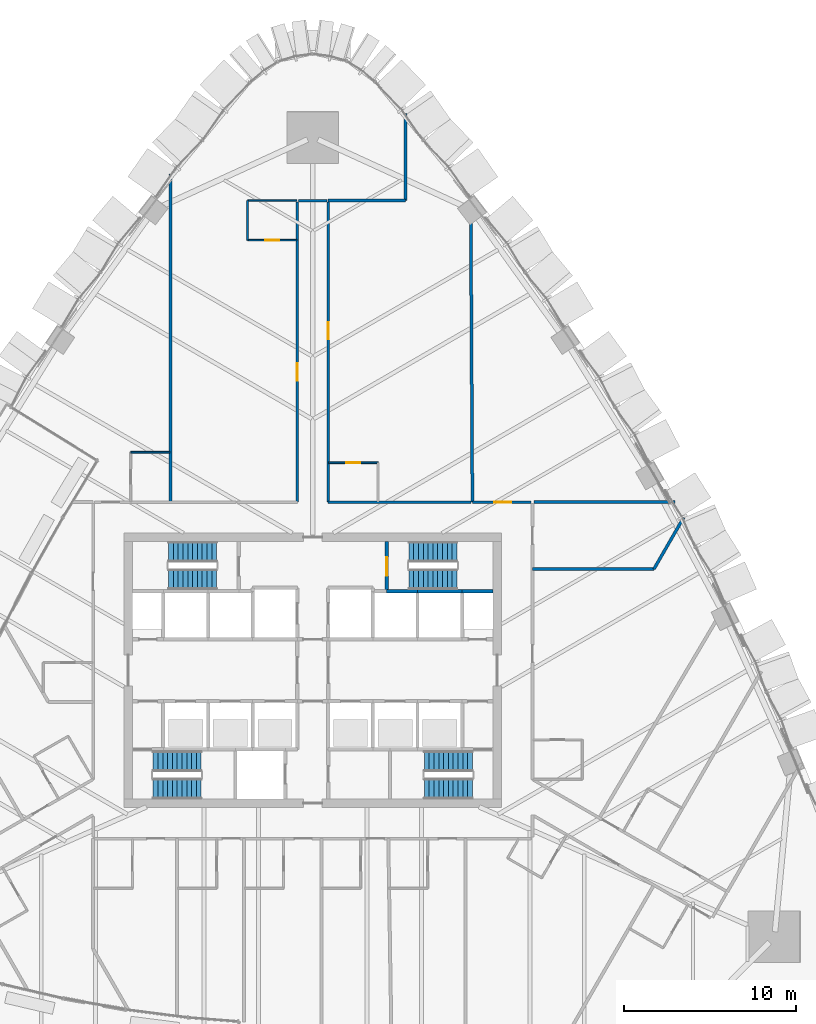
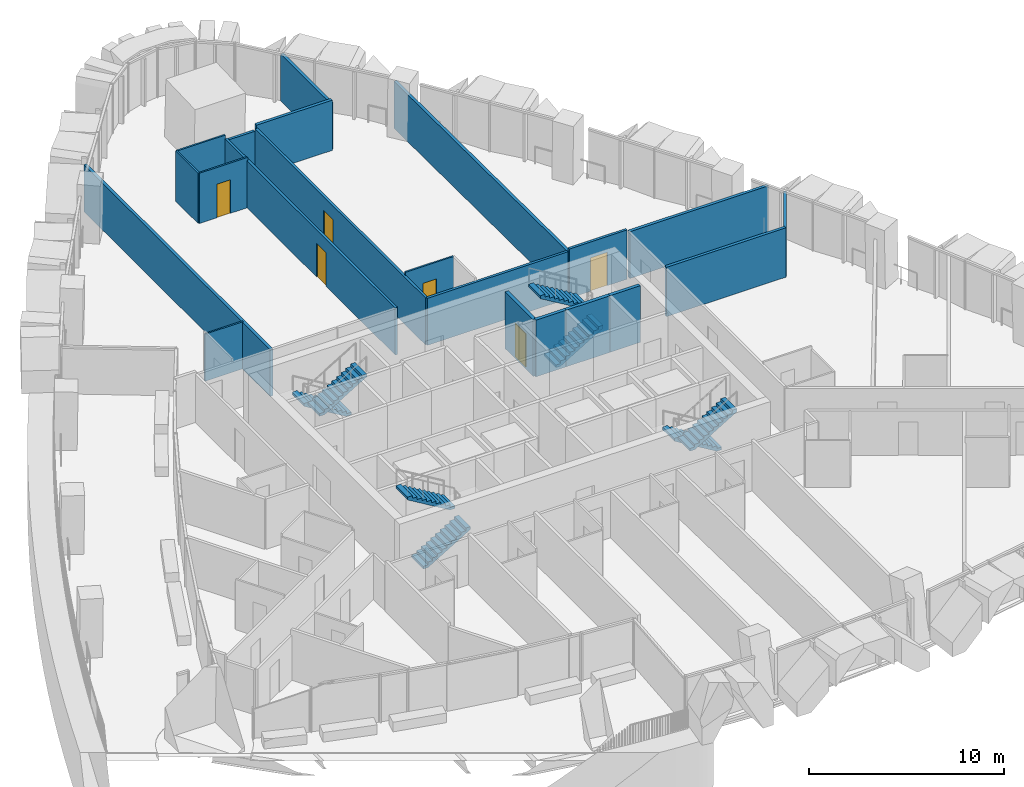
# One storey, part 18 of 24: 21 walls, 8 stair flights, 6 doors, 6 openings, 4 elements without a shape of their own.
"""IFC4 building model written with IfcOpenShell, lengths in metres."""

from ifc_helpers import new_model, si_unit, direction, frame, frame_2d, origin, place, context, subcontext, project, spatial, polyline, rectangle, outline, extrude, material, layer, layer_set, type_object, element, fill, aggregate, save


model = new_model("IFC4")

# Units and contexts
model_context = context("Model", 3, precision=1e-05, world=origin(), true_north=direction((0.0, 1.0)))
body_context = subcontext(model_context, "Body", "Model", "MODEL_VIEW")
ifc_project = project(units=[si_unit("LENGTHUNIT", "METRE"), si_unit("AREAUNIT", "SQUARE_METRE"), si_unit("VOLUMEUNIT", "CUBIC_METRE"), si_unit("PLANEANGLEUNIT", "RADIAN"), si_unit("MASSUNIT", "GRAM", prefix="KILO")], contexts=[model_context])

# Site, building, storey
site_placement = place(None, origin())
site = spatial("IfcSite", under=ifc_project, at=site_placement, CompositionType="ELEMENT")
building_placement = place(site_placement, origin())
building = spatial("IfcBuilding", under=site, at=building_placement, Name="Sierra Prisma Convention Tower", CompositionType="ELEMENT")
storey_placement = place(building_placement, frame((0.0, 0.0, 59.10009765625)))
storey = spatial("IfcBuildingStorey", under=building, at=storey_placement, Name="L10", CompositionType="ELEMENT", Elevation=59.10009765625)

# Wall
ifc_material_1 = material(Name="Gypsum board partition", Category="gypsum")
ifc_layer_1 = layer(ifc_material_1, 0.10009765625)
ifc_layer_set_1 = layer_set([ifc_layer_1], Name="Bathroom partition 100")
wall_type_1 = type_object("IfcWallType", Name="Bathroom partition 100", PredefinedType="PARTITIONING", material=ifc_layer_set_1)
wall_1_placement = place(storey_placement, frame((-10.60009765625, 12.699951171875, 0.0), z_axis=(0.0, 0.0, 1.0), x_axis=(1.0, 0.0, 0.0)))
element("IfcWall", 1, at=wall_1_placement, inside=storey, type_object=wall_type_1, Name="Partition L10 bath 13", PredefinedType="PARTITIONING", context=body_context, shape_type="SweptSolid", body=[
    extrude(rectangle(XDim=2.27001953125, YDim=0.10009765625, at=frame_2d((1.135009765625, 0.0))), origin(), (0.0, 0.0, 1.0), 2.947021484375),
])

# Wall, opening, door
wall_2_placement = place(storey_placement, frame((-0.929931640625, 25.06396484375, 0.0), z_axis=(0.0, 0.0, 1.0), x_axis=(-1.0, 0.0, 0.0)))
wall_2 = element("IfcWall", 2, at=wall_2_placement, inside=storey, type_object=wall_type_1, Name="Partition L10 bath 18", PredefinedType="PARTITIONING", context=body_context, shape_type="SweptSolid", body=[
    extrude(rectangle(XDim=2.8701171875, YDim=0.10009765625, at=frame_2d((1.43505859375, 0.0))), origin(), (0.0, 0.0, 1.0), 3.14990234375),
])
opening_1_placement = place(wall_2_placement, frame((1.034912109375, 0.0, 0.0)))
opening_1 = element("IfcOpeningElement", 3, at=opening_1_placement, cuts=wall_2, Name="Opening L10-D006", PredefinedType="OPENING", context=body_context, shape_type="SweptSolid", body=[
    extrude(rectangle(XDim=0.800048828125, YDim=2.10009765625, at=frame_2d((0.39990234375, 1.050048828125))), frame((0.0, 0.050048828125, 0.0), z_axis=(0.0, -1.0, 0.0), x_axis=(1.0, 0.0, 0.0)), (0.0, 0.0, 1.0), 0.10009765625),
])
ifc_material_2 = material(Name="Solid core timber door leaf", Category="wood")
door_type_1 = type_object("IfcDoorType", Name="Door 800x2100 plain", OperationType="SINGLE_SWING_LEFT", PredefinedType="DOOR", material=ifc_material_2)
door_1_placement = place(opening_1_placement, origin())
door_1 = element("IfcDoor", 4, at=door_1_placement, inside=storey, type_object=door_type_1, Name="Door L10 8", OperationType="SINGLE_SWING_LEFT", OverallHeight=2.10009765625, OverallWidth=0.800048828125, PredefinedType="DOOR", context=body_context, shape_type="SweptSolid", body=[
    extrude(rectangle(XDim=0.800048828125, YDim=2.10009765625, at=frame_2d((0.39990234375, 1.050048828125))), frame((0.0, 0.02490234375, 0.0), z_axis=(0.0, -1.0, 0.0), x_axis=(1.0, 0.0, 0.0)), (0.0, 0.0, 1.0), 0.050048828125),
])
fill(opening_1, door_1)

# Walls
wall_3_placement = place(storey_placement, frame((-3.800048828125, 25.06396484375, 0.0), z_axis=(0.0, 0.0, 1.0), x_axis=(0.0, 1.0, 0.0)))
element("IfcWall", 5, at=wall_3_placement, inside=storey, type_object=wall_type_1, Name="Partition L10 bath 19", PredefinedType="PARTITIONING", context=body_context, shape_type="SweptSolid", body=[
    extrude(rectangle(XDim=2.300048828125, YDim=0.10009765625, at=frame_2d((1.14990234375, 0.0))), origin(), (0.0, 0.0, 1.0), 3.14990234375),
])
wall_4_placement = place(storey_placement, frame((-3.800048828125, 27.364013671875, 0.0), z_axis=(0.0, 0.0, 1.0), x_axis=(1.0, 0.0, 0.0)))
element("IfcWall", 6, at=wall_4_placement, inside=storey, type_object=wall_type_1, Name="Partition L10 bath 20", PredefinedType="PARTITIONING", context=body_context, shape_type="SweptSolid", body=[
    extrude(rectangle(XDim=2.8701171875, YDim=0.10009765625, at=frame_2d((1.43505859375, 0.0))), origin(), (0.0, 0.0, 1.0), 3.14990234375),
])

# Wall, opening, door
wall_5_placement = place(storey_placement, frame((0.929931640625, 12.10009765625, 0.0), z_axis=(0.0, 0.0, 1.0), x_axis=(1.0, 0.0, 0.0)))
wall_5 = element("IfcWall", 7, at=wall_5_placement, inside=storey, type_object=wall_type_1, Name="Partition L10 bath 23", PredefinedType="PARTITIONING", context=body_context, shape_type="SweptSolid", body=[
    extrude(rectangle(XDim=2.8701171875, YDim=0.10009765625, at=frame_2d((1.43505859375, 0.0))), origin(), (0.0, 0.0, 1.0), 3.14990234375),
])
opening_2_placement = place(wall_5_placement, frame((1.034912109375, 0.0, 0.0)))
opening_2 = element("IfcOpeningElement", 8, at=opening_2_placement, cuts=wall_5, Name="Opening L10-D005", PredefinedType="OPENING", context=body_context, shape_type="SweptSolid", body=[
    extrude(rectangle(XDim=0.800048828125, YDim=2.10009765625, at=frame_2d((0.39990234375, 1.050048828125))), frame((0.0, 0.050048828125, 0.0), z_axis=(0.0, -1.0, 0.0), x_axis=(1.0, 0.0, 0.0)), (0.0, 0.0, 1.0), 0.10009765625),
])
door_2_placement = place(opening_2_placement, origin())
door_2 = element("IfcDoor", 9, at=door_2_placement, inside=storey, type_object=door_type_1, Name="Door L10 6", OperationType="SINGLE_SWING_LEFT", OverallHeight=2.10009765625, OverallWidth=0.800048828125, PredefinedType="DOOR", context=body_context, shape_type="SweptSolid", body=[
    extrude(rectangle(XDim=0.800048828125, YDim=2.10009765625, at=frame_2d((0.39990234375, 1.050048828125))), frame((0.0, 0.02490234375, 0.0), z_axis=(0.0, -1.0, 0.0), x_axis=(1.0, 0.0, 0.0)), (0.0, 0.0, 1.0), 0.050048828125),
])
fill(opening_2, door_2)

# Wall
ifc_material_3 = material(Name="Concrete C30/37", Category="concrete")
ifc_layer_2 = layer(ifc_material_3, 0.199951171875)
ifc_layer_set_2 = layer_set([ifc_layer_2], Name="Core wall RC 200 C30/37")
wall_type_2 = type_object("IfcWallType", Name="Core wall RC 200 C30/37", PredefinedType="SOLIDWALL", material=ifc_layer_set_2)
wall_6_placement = place(storey_placement, frame((6.10009765625, 4.60009765625, 0.0), z_axis=(0.0, 0.0, 1.0), x_axis=(-1.0, 0.0, 0.0)))
element("IfcWall", 10, at=wall_6_placement, inside=storey, type_object=wall_type_2, Name="Core wall L10 50", PredefinedType="SOLIDWALL", context=body_context, shape_type="SweptSolid", body=[
    extrude(rectangle(XDim=1.800048828125, YDim=0.199951171875, at=frame_2d((0.89990234375, 0.0))), origin(), (0.0, 0.0, 1.0), 3.5498046875),
])

# Wall, opening, door
wall_7_placement = place(storey_placement, frame((4.300048828125, 7.5, 0.0), z_axis=(0.0, 0.0, 1.0), x_axis=(0.0, -1.0, 0.0)))
wall_7 = element("IfcWall", 11, at=wall_7_placement, inside=storey, type_object=wall_type_2, Name="Core wall L10 51", PredefinedType="SOLIDWALL", context=body_context, shape_type="SweptSolid", body=[
    extrude(rectangle(XDim=2.89990234375, YDim=0.199951171875, at=frame_2d((1.449951171875, 0.0))), origin(), (0.0, 0.0, 1.0), 3.5498046875),
])
opening_3_placement = place(wall_7_placement, frame((0.89990234375, 0.0, 0.0)))
opening_3 = element("IfcOpeningElement", 12, at=opening_3_placement, cuts=wall_7, Name="Opening L10-D040", PredefinedType="OPENING", context=body_context, shape_type="SweptSolid", body=[
    extrude(rectangle(XDim=1.10009765625, YDim=2.10009765625, at=frame_2d((0.550048828125, 1.050048828125))), frame((0.0, 0.10009765625, 0.0), z_axis=(0.0, -1.0, 0.0), x_axis=(1.0, 0.0, 0.0)), (0.0, 0.0, 1.0), 0.199951171875),
])
ifc_material_4 = material(Name="Steel fire door leaf", Category="steel")
door_type_2 = type_object("IfcDoorType", Name="Door 1100x2100 FD90S", OperationType="SINGLE_SWING_LEFT", PredefinedType="DOOR", material=ifc_material_4)
door_3_placement = place(opening_3_placement, origin())
door_3 = element("IfcDoor", 13, at=door_3_placement, inside=storey, type_object=door_type_2, Name="Door L10 57", OperationType="SINGLE_SWING_LEFT", OverallHeight=2.10009765625, OverallWidth=1.10009765625, PredefinedType="DOOR", context=body_context, shape_type="SweptSolid", body=[
    extrude(rectangle(XDim=1.10009765625, YDim=2.10009765625, at=frame_2d((0.550048828125, 1.050048828125))), frame((0.0, 0.02490234375, 0.0), z_axis=(0.0, -1.0, 0.0), x_axis=(1.0, 0.0, 0.0)), (0.0, 0.0, 1.0), 0.050048828125),
])
fill(opening_3, door_3)

# Walls
wall_8_placement = place(storey_placement, frame((8.699951171875, 4.60009765625, 0.0), z_axis=(0.0, 0.0, 1.0), x_axis=(-1.0, 0.0, 0.0)))
element("IfcWall", 14, at=wall_8_placement, inside=storey, type_object=wall_type_2, Name="Core wall L10 59", PredefinedType="SOLIDWALL", context=body_context, shape_type="SweptSolid", body=[
    extrude(rectangle(XDim=2.599853515625, YDim=0.199951171875, at=frame_2d((1.2998046875, 0.0))), origin(), (0.0, 0.0, 1.0), 3.5498046875),
])
wall_9_placement = place(storey_placement, frame((10.5, 4.60009765625, 0.0), z_axis=(0.0, 0.0, 1.0), x_axis=(-1.0, 0.0, 0.0)))
element("IfcWall", 15, at=wall_9_placement, inside=storey, type_object=wall_type_2, Name="Core wall L10 65", PredefinedType="SOLIDWALL", context=body_context, shape_type="SweptSolid", body=[
    extrude(rectangle(XDim=1.800048828125, YDim=0.199951171875, at=frame_2d((0.89990234375, 0.0))), origin(), (0.0, 0.0, 1.0), 3.5498046875),
])

# Wall, opening, door
ifc_material_5 = material(Name="Gypsum board partition", Category="gypsum")
ifc_layer_3 = layer(ifc_material_5, 0.14990234375)
ifc_layer_set_3 = layer_set([ifc_layer_3], Name="Corridor wall 150 gypsum EI 60")
wall_type_3 = type_object("IfcWallType", Name="Corridor wall 150 gypsum EI 60", PredefinedType="PARTITIONING", material=ifc_layer_set_3)
wall_10_placement = place(storey_placement, frame((-0.89990234375, 27.283935546875, 0.0), z_axis=(0.0, 0.0, 1.0), x_axis=(0.0, -1.0, 0.0)))
wall_10 = element("IfcWall", 16, at=wall_10_placement, inside=storey, type_object=wall_type_3, Name="Partition L10 corr 8", PredefinedType="PARTITIONING", context=body_context, shape_type="SweptSolid", body=[
    extrude(rectangle(XDim=17.48388671875, YDim=0.14990234375, at=frame_2d((8.741943359375, 0.0))), origin(), (0.0, 0.0, 1.0), 2.947021484375),
])
opening_4_placement = place(wall_10_placement, frame((9.402099609375, 0.0, 0.0)))
opening_4 = element("IfcOpeningElement", 17, at=opening_4_placement, cuts=wall_10, Name="Opening L10-D046", PredefinedType="OPENING", context=body_context, shape_type="SweptSolid", body=[
    extrude(rectangle(XDim=1.0, YDim=2.10009765625, at=frame_2d((0.5, 1.050048828125))), frame((0.0, 0.074951171875, 0.0), z_axis=(0.0, -1.0, 0.0), x_axis=(1.0, 0.0, 0.0)), (0.0, 0.0, 1.0), 0.14990234375),
])
ifc_material_6 = material(Name="Steel fire door leaf", Category="steel")
door_type_3 = type_object("IfcDoorType", Name="Door 1000x2100 FD30S", OperationType="SINGLE_SWING_LEFT", PredefinedType="DOOR", material=ifc_material_6)
door_4_placement = place(opening_4_placement, origin())
door_4 = element("IfcDoor", 18, at=door_4_placement, inside=storey, type_object=door_type_3, Name="Door L10 7", OperationType="SINGLE_SWING_LEFT", OverallHeight=2.10009765625, OverallWidth=1.0, PredefinedType="DOOR", context=body_context, shape_type="SweptSolid", body=[
    extrude(rectangle(XDim=1.0, YDim=2.10009765625, at=frame_2d((0.5, 1.050048828125))), frame((0.0, 0.02490234375, 0.0), z_axis=(0.0, -1.0, 0.0), x_axis=(1.0, 0.0, 0.0)), (0.0, 0.0, 1.0), 0.050048828125),
])
fill(opening_4, door_4)

# Walls
wall_11_placement = place(storey_placement, frame((0.820068359375, 27.364013671875, 0.0), z_axis=(0.0, 0.0, 1.0), x_axis=(-1.0, 0.0, 0.0)))
element("IfcWall", 19, at=wall_11_placement, inside=storey, type_object=wall_type_3, Name="Partition L10 corr 10", PredefinedType="PARTITIONING", context=body_context, shape_type="SweptSolid", body=[
    extrude(rectangle(XDim=1.64013671875, YDim=0.14990234375, at=frame_2d((0.820068359375, 0.0))), origin(), (0.0, 0.0, 1.0), 2.796875),
])
wall_12_placement = place(storey_placement, frame((9.219970703125, 9.800048828125, 0.0), z_axis=(0.0, 0.0, 1.0), x_axis=(-1.0, 0.0, 0.0)))
element("IfcWall", 20, at=wall_12_placement, inside=storey, type_object=wall_type_3, Name="Partition L10 corr 11", PredefinedType="PARTITIONING", context=body_context, shape_type="SweptSolid", body=[
    extrude(rectangle(XDim=8.320068359375, YDim=0.14990234375, at=frame_2d((4.16015625, 0.0))), origin(), (0.0, 0.0, 1.0), 2.947021484375),
])

# Wall, opening, door
wall_13_placement = place(storey_placement, frame((0.89990234375, 9.800048828125, 0.0), z_axis=(0.0, 0.0, 1.0), x_axis=(0.0, 1.0, 0.0)))
wall_13 = element("IfcWall", 21, at=wall_13_placement, inside=storey, type_object=wall_type_3, Name="Partition L10 corr 12", PredefinedType="PARTITIONING", context=body_context, shape_type="SweptSolid", body=[
    extrude(rectangle(XDim=17.48388671875, YDim=0.14990234375, at=frame_2d((8.741943359375, 0.0))), origin(), (0.0, 0.0, 1.0), 2.947021484375),
])
opening_5_placement = place(wall_13_placement, frame((9.48193359375, 0.0, 0.0)))
opening_5 = element("IfcOpeningElement", 22, at=opening_5_placement, cuts=wall_13, Name="Opening L10-D045", PredefinedType="OPENING", context=body_context, shape_type="SweptSolid", body=[
    extrude(rectangle(XDim=1.0, YDim=2.10009765625, at=frame_2d((0.5, 1.050048828125))), frame((0.0, 0.074951171875, 0.0), z_axis=(0.0, -1.0, 0.0), x_axis=(1.0, 0.0, 0.0)), (0.0, 0.0, 1.0), 0.14990234375),
])
door_5_placement = place(opening_5_placement, origin())
door_5 = element("IfcDoor", 23, at=door_5_placement, inside=storey, type_object=door_type_3, Name="Door L10 5", OperationType="SINGLE_SWING_RIGHT", OverallHeight=2.10009765625, OverallWidth=1.0, PredefinedType="DOOR", context=body_context, shape_type="SweptSolid", body=[
    extrude(rectangle(XDim=1.0, YDim=2.10009765625, at=frame_2d((0.5, 1.050048828125))), frame((0.0, 0.02490234375, 0.0), z_axis=(0.0, -1.0, 0.0), x_axis=(1.0, 0.0, 0.0)), (0.0, 0.0, 1.0), 0.050048828125),
])
fill(opening_5, door_5)

wall_14_placement = place(storey_placement, frame((12.719970703125, 9.800048828125, 0.0), z_axis=(0.0, 0.0, 1.0), x_axis=(-1.0, 0.0, 0.0)))
wall_14 = element("IfcWall", 24, at=wall_14_placement, inside=storey, type_object=wall_type_3, Name="Partition L10 corr 13", PredefinedType="PARTITIONING", context=body_context, shape_type="SweptSolid", body=[
    extrude(rectangle(XDim=3.419921875, YDim=0.14990234375, at=frame_2d((1.7099609375, 0.0))), origin(), (0.0, 0.0, 1.0), 3.093017578125),
])
opening_6_placement = place(wall_14_placement, frame((1.159912109375, 0.0, 0.0)))
opening_6 = element("IfcOpeningElement", 25, at=opening_6_placement, cuts=wall_14, Name="Opening L10-D044", PredefinedType="OPENING", context=body_context, shape_type="SweptSolid", body=[
    extrude(rectangle(XDim=1.0, YDim=2.10009765625, at=frame_2d((0.5, 1.050048828125))), frame((0.0, 0.074951171875, 0.0), z_axis=(0.0, -1.0, 0.0), x_axis=(1.0, 0.0, 0.0)), (0.0, 0.0, 1.0), 0.14990234375),
])
door_6_placement = place(opening_6_placement, origin())
door_6 = element("IfcDoor", 26, at=door_6_placement, inside=storey, type_object=door_type_3, Name="Door L10 4", OperationType="SINGLE_SWING_RIGHT", OverallHeight=2.10009765625, OverallWidth=1.0, PredefinedType="DOOR", context=body_context, shape_type="SweptSolid", body=[
    extrude(rectangle(XDim=1.0, YDim=2.10009765625, at=frame_2d((0.5, 1.050048828125))), frame((0.0, 0.02490234375, 0.0), z_axis=(0.0, -1.0, 0.0), x_axis=(1.0, 0.0, 0.0)), (0.0, 0.0, 1.0), 0.050048828125),
])
fill(opening_6, door_6)

# Walls
ifc_material_7 = material(Name="Acoustic gypsum board partition", Category="gypsum")
ifc_layer_4 = layer(ifc_material_7, 0.175048828125)
ifc_layer_set_4 = layer_set([ifc_layer_4], Name="Guest room party wall 175 acoustic EI 60")
wall_type_4 = type_object("IfcWallType", Name="Guest room party wall 175 acoustic EI 60", PredefinedType="PARTITIONING", material=ifc_layer_set_4)
wall_15_placement = place(storey_placement, frame((-8.300048828125, 9.800048828125, 0.0), z_axis=(0.0, 0.0, 1.0), x_axis=(0.0, 1.0, 0.0)))
element("IfcWall", 27, at=wall_15_placement, inside=storey, type_object=wall_type_4, Name="Partition L10 hparty 9", PredefinedType="PARTITIONING", context=body_context, shape_type="SweptSolid", body=[
    extrude(rectangle(XDim=19.11669921875, YDim=0.175048828125, at=frame_2d((9.558349609375, 0.0))), origin(), (0.0, 0.0, 1.0), 2.933837890625),
])
wall_16_placement = place(storey_placement, frame((0.89990234375, 27.364013671875, 0.0), z_axis=(0.0, 0.0, 1.0), x_axis=(1.0, 0.0, 0.0)))
element("IfcWall", 28, at=wall_16_placement, inside=storey, type_object=wall_type_4, Name="Partition L10 hparty 13", PredefinedType="PARTITIONING", context=body_context, shape_type="SweptSolid", body=[
    extrude(rectangle(XDim=4.5, YDim=0.175048828125, at=frame_2d((2.25, 0.0))), origin(), (0.0, 0.0, 1.0), 3.14990234375),
])
wall_17_placement = place(storey_placement, frame((5.39990234375, 27.364013671875, 0.0), z_axis=(0.0, 0.0, 1.0), x_axis=(0.0, 1.0, 0.0)))
element("IfcWall", 29, at=wall_17_placement, inside=storey, type_object=wall_type_4, Name="Partition L10 hparty 14", PredefinedType="PARTITIONING", context=body_context, shape_type="SweptSolid", body=[
    extrude(rectangle(XDim=5.08447265625, YDim=0.175048828125, at=frame_2d((2.542236328125, 0.0))), origin(), (0.0, 0.0, 1.0), 2.933837890625),
])
wall_18_placement = place(storey_placement, frame((9.201416015625, 27.4248046875, 0.0), z_axis=(0.0, 0.0, 1.0), x_axis=(0.005596177832, -0.999984341274, 0.0)))
element("IfcWall", 30, at=wall_18_placement, inside=storey, type_object=wall_type_4, Name="Partition L10 hparty 17", PredefinedType="PARTITIONING", context=body_context, shape_type="SweptSolid", body=[
    extrude(rectangle(XDim=17.625, YDim=0.175048828125, at=frame_2d((8.8125, 0.0))), origin(), (0.0, 0.0, 1.0), 2.947021484375),
])
wall_19_placement = place(storey_placement, frame((12.800048828125, 5.89990234375, 0.0), z_axis=(0.0, 0.0, 1.0), x_axis=(1.0, 0.0, 0.0)))
element("IfcWall", 31, at=wall_19_placement, inside=storey, type_object=wall_type_4, Name="Partition L10 hparty 20", PredefinedType="PARTITIONING", context=body_context, shape_type="SweptSolid", body=[
    extrude(rectangle(XDim=7.072998046875, YDim=0.175048828125, at=frame_2d((3.53662109375, 0.0))), origin(), (0.0, 0.0, 1.0), 3.093017578125),
])
wall_20_placement = place(storey_placement, frame((19.873046875, 5.89990234375, 0.0), z_axis=(0.0, 0.0, 1.0), x_axis=(0.499988788333, 0.866031876747, 0.0)))
element("IfcWall", 32, at=wall_20_placement, inside=storey, type_object=wall_type_4, Name="Partition L10 hparty 21", PredefinedType="PARTITIONING", context=body_context, shape_type="SweptSolid", body=[
    extrude(rectangle(XDim=3.46484375, YDim=0.175048828125, at=frame_2d((1.732421875, 0.0))), origin(), (0.0, 0.0, 1.0), 2.933837890625),
])
wall_21_placement = place(storey_placement, frame((12.8798828125, 9.800048828125, 0.0), z_axis=(0.0, 0.0, 1.0), x_axis=(1.0, 0.0, 0.0)))
element("IfcWall", 33, at=wall_21_placement, inside=storey, type_object=wall_type_4, Name="Partition L10 hparty 22", PredefinedType="PARTITIONING", context=body_context, shape_type="SweptSolid", body=[
    extrude(rectangle(XDim=8.227294921875, YDim=0.175048828125, at=frame_2d((4.11376953125, 0.0))), origin(), (0.0, 0.0, 1.0), 2.933837890625),
])

# Stair, stair flights
ifc_material_8 = material(Name="Concrete C30/37", Category="concrete")
stair_type = type_object("IfcStairType", Name="Stair dog-leg 1200 RC", PredefinedType="HALF_TURN_STAIR", material=ifc_material_8)
stair_1_placement = place(storey_placement, origin())
stair_1 = element("IfcStair", 34, at=stair_1_placement, inside=storey, type_object=stair_type, Name="L10 S1", PredefinedType="HALF_TURN_STAIR")
ifc_material_9 = material(Name="Concrete C30/37", Category="concrete")
stair_flight_type = type_object("IfcStairFlightType", Name="Stair flight RC 1200", PredefinedType="STRAIGHT", material=ifc_material_9)
stair_flight_1_placement = place(storey_placement, frame((-9.300048828125, -6.89990234375, 0.0), z_axis=(0.0, 0.0, 1.0), x_axis=(1.0, 0.0, 0.0)))
stair_flight_1 = element("IfcStairFlight", 35, at=stair_flight_1_placement, type_object=stair_flight_type, Name="S1 flight 1", NumberOfRisers=11, NumberOfTreads=10, PredefinedType="STRAIGHT", RiserHeight=0.168181818, TreadLength=0.28, context=body_context, shape_type="SweptSolid", body=[
    extrude(outline(polyline([(0.0, 0.0), (0.0, 0.168212890625), (0.280029296875, 0.168212890625), (0.280029296875, 0.33642578125), (0.56005859375, 0.33642578125), (0.56005859375, 0.504638671875), (0.840087890625, 0.504638671875), (0.840087890625, 0.672607421875), (1.1201171875, 0.672607421875), (1.1201171875, 0.8408203125), (1.39990234375, 0.8408203125), (1.39990234375, 1.009033203125), (1.679931640625, 1.009033203125), (1.679931640625, 1.17724609375), (1.9599609375, 1.17724609375), (1.9599609375, 1.345458984375), (2.239990234375, 1.345458984375), (2.239990234375, 1.513671875), (2.52001953125, 1.513671875), (2.52001953125, 1.681884765625), (2.800048828125, 1.681884765625), (2.800048828125, 1.85009765625), (2.800048828125, 1.5068359375), (0.291015625, 0.0), (0.0, 0.0)])), frame((0.0, 0.60009765625, 0.0), z_axis=(0.0, -1.0, 0.0), x_axis=(1.0, 0.0, 0.0)), (0.0, 0.0, 1.0), 1.199951171875),
])
stair_flight_2_placement = place(storey_placement, frame((-6.5, -5.300048828125, 1.849853515625), z_axis=(0.0, 0.0, 1.0), x_axis=(-1.0, 0.0, 0.0)))
stair_flight_2 = element("IfcStairFlight", 36, at=stair_flight_2_placement, type_object=stair_flight_type, Name="S1 flight 2", NumberOfRisers=11, NumberOfTreads=10, PredefinedType="STRAIGHT", RiserHeight=0.168181818, TreadLength=0.28, context=body_context, shape_type="SweptSolid", body=[
    extrude(outline(polyline([(0.0, 0.0), (0.0, 0.168212890625), (0.280029296875, 0.168212890625), (0.280029296875, 0.33642578125), (0.56005859375, 0.33642578125), (0.56005859375, 0.504638671875), (0.840087890625, 0.504638671875), (0.840087890625, 0.672607421875), (1.1201171875, 0.672607421875), (1.1201171875, 0.8408203125), (1.39990234375, 0.8408203125), (1.39990234375, 1.009033203125), (1.679931640625, 1.009033203125), (1.679931640625, 1.17724609375), (1.9599609375, 1.17724609375), (1.9599609375, 1.345458984375), (2.239990234375, 1.345458984375), (2.239990234375, 1.513671875), (2.52001953125, 1.513671875), (2.52001953125, 1.681884765625), (2.800048828125, 1.681884765625), (2.800048828125, 1.85009765625), (2.800048828125, 1.5068359375), (0.291015625, 0.0), (0.0, 0.0)])), frame((0.0, 0.60009765625, 0.0), z_axis=(0.0, -1.0, 0.0), x_axis=(1.0, 0.0, 0.0)), (0.0, 0.0, 1.0), 1.199951171875),
])
aggregate(stair_1, [stair_flight_1, stair_flight_2])

stair_2_placement = place(storey_placement, origin())
stair_2 = element("IfcStair", 37, at=stair_2_placement, inside=storey, type_object=stair_type, Name="L10 S2", PredefinedType="HALF_TURN_STAIR")
stair_flight_3_placement = place(storey_placement, frame((9.300048828125, -5.300048828125, 0.0), z_axis=(0.0, 0.0, 1.0), x_axis=(-1.0, 0.0, 0.0)))
stair_flight_3 = element("IfcStairFlight", 38, at=stair_flight_3_placement, type_object=stair_flight_type, Name="S2 flight 1", NumberOfRisers=11, NumberOfTreads=10, PredefinedType="STRAIGHT", RiserHeight=0.168181818, TreadLength=0.28, context=body_context, shape_type="SweptSolid", body=[
    extrude(outline(polyline([(0.0, 0.0), (0.0, 0.168212890625), (0.280029296875, 0.168212890625), (0.280029296875, 0.33642578125), (0.56005859375, 0.33642578125), (0.56005859375, 0.504638671875), (0.840087890625, 0.504638671875), (0.840087890625, 0.672607421875), (1.1201171875, 0.672607421875), (1.1201171875, 0.8408203125), (1.39990234375, 0.8408203125), (1.39990234375, 1.009033203125), (1.679931640625, 1.009033203125), (1.679931640625, 1.17724609375), (1.9599609375, 1.17724609375), (1.9599609375, 1.345458984375), (2.239990234375, 1.345458984375), (2.239990234375, 1.513671875), (2.52001953125, 1.513671875), (2.52001953125, 1.681884765625), (2.800048828125, 1.681884765625), (2.800048828125, 1.85009765625), (2.800048828125, 1.5068359375), (0.291015625, 0.0), (0.0, 0.0)])), frame((0.0, 0.60009765625, 0.0), z_axis=(0.0, -1.0, 0.0), x_axis=(1.0, 0.0, 0.0)), (0.0, 0.0, 1.0), 1.199951171875),
])
stair_flight_4_placement = place(storey_placement, frame((6.5, -6.89990234375, 1.849853515625), z_axis=(0.0, 0.0, 1.0), x_axis=(1.0, 0.0, 0.0)))
stair_flight_4 = element("IfcStairFlight", 39, at=stair_flight_4_placement, type_object=stair_flight_type, Name="S2 flight 2", NumberOfRisers=11, NumberOfTreads=10, PredefinedType="STRAIGHT", RiserHeight=0.168181818, TreadLength=0.28, context=body_context, shape_type="SweptSolid", body=[
    extrude(outline(polyline([(0.0, 0.0), (0.0, 0.168212890625), (0.280029296875, 0.168212890625), (0.280029296875, 0.33642578125), (0.56005859375, 0.33642578125), (0.56005859375, 0.504638671875), (0.840087890625, 0.504638671875), (0.840087890625, 0.672607421875), (1.1201171875, 0.672607421875), (1.1201171875, 0.8408203125), (1.39990234375, 0.8408203125), (1.39990234375, 1.009033203125), (1.679931640625, 1.009033203125), (1.679931640625, 1.17724609375), (1.9599609375, 1.17724609375), (1.9599609375, 1.345458984375), (2.239990234375, 1.345458984375), (2.239990234375, 1.513671875), (2.52001953125, 1.513671875), (2.52001953125, 1.681884765625), (2.800048828125, 1.681884765625), (2.800048828125, 1.85009765625), (2.800048828125, 1.5068359375), (0.291015625, 0.0), (0.0, 0.0)])), frame((0.0, 0.60009765625, 0.0), z_axis=(0.0, -1.0, 0.0), x_axis=(1.0, 0.0, 0.0)), (0.0, 0.0, 1.0), 1.199951171875),
])
aggregate(stair_2, [stair_flight_3, stair_flight_4])

stair_3_placement = place(storey_placement, origin())
stair_3 = element("IfcStair", 40, at=stair_3_placement, inside=storey, type_object=stair_type, Name="L10 S3", PredefinedType="HALF_TURN_STAIR")
stair_flight_5_placement = place(storey_placement, frame((-5.60009765625, 6.89990234375, 0.0), z_axis=(0.0, 0.0, 1.0), x_axis=(-1.0, 0.0, 0.0)))
stair_flight_5 = element("IfcStairFlight", 41, at=stair_flight_5_placement, type_object=stair_flight_type, Name="S3 flight 1", NumberOfRisers=11, NumberOfTreads=10, PredefinedType="STRAIGHT", RiserHeight=0.168181818, TreadLength=0.28, context=body_context, shape_type="SweptSolid", body=[
    extrude(outline(polyline([(0.0, 0.0), (0.0, 0.168212890625), (0.280029296875, 0.168212890625), (0.280029296875, 0.33642578125), (0.56005859375, 0.33642578125), (0.56005859375, 0.504638671875), (0.840087890625, 0.504638671875), (0.840087890625, 0.672607421875), (1.1201171875, 0.672607421875), (1.1201171875, 0.8408203125), (1.39990234375, 0.8408203125), (1.39990234375, 1.009033203125), (1.679931640625, 1.009033203125), (1.679931640625, 1.17724609375), (1.9599609375, 1.17724609375), (1.9599609375, 1.345458984375), (2.239990234375, 1.345458984375), (2.239990234375, 1.513671875), (2.52001953125, 1.513671875), (2.52001953125, 1.681884765625), (2.800048828125, 1.681884765625), (2.800048828125, 1.85009765625), (2.800048828125, 1.5068359375), (0.291015625, 0.0), (0.0, 0.0)])), frame((0.0, 0.60009765625, 0.0), z_axis=(0.0, -1.0, 0.0), x_axis=(1.0, 0.0, 0.0)), (0.0, 0.0, 1.0), 1.199951171875),
])
stair_flight_6_placement = place(storey_placement, frame((-8.39990234375, 5.300048828125, 1.849853515625), z_axis=(0.0, 0.0, 1.0), x_axis=(1.0, 0.0, 0.0)))
stair_flight_6 = element("IfcStairFlight", 42, at=stair_flight_6_placement, type_object=stair_flight_type, Name="S3 flight 2", NumberOfRisers=11, NumberOfTreads=10, PredefinedType="STRAIGHT", RiserHeight=0.168181818, TreadLength=0.28, context=body_context, shape_type="SweptSolid", body=[
    extrude(outline(polyline([(0.0, 0.0), (0.0, 0.168212890625), (0.280029296875, 0.168212890625), (0.280029296875, 0.33642578125), (0.56005859375, 0.33642578125), (0.56005859375, 0.504638671875), (0.840087890625, 0.504638671875), (0.840087890625, 0.672607421875), (1.1201171875, 0.672607421875), (1.1201171875, 0.8408203125), (1.39990234375, 0.8408203125), (1.39990234375, 1.009033203125), (1.679931640625, 1.009033203125), (1.679931640625, 1.17724609375), (1.9599609375, 1.17724609375), (1.9599609375, 1.345458984375), (2.239990234375, 1.345458984375), (2.239990234375, 1.513671875), (2.52001953125, 1.513671875), (2.52001953125, 1.681884765625), (2.800048828125, 1.681884765625), (2.800048828125, 1.85009765625), (2.800048828125, 1.5068359375), (0.291015625, 0.0), (0.0, 0.0)])), frame((0.0, 0.60009765625, 0.0), z_axis=(0.0, -1.0, 0.0), x_axis=(1.0, 0.0, 0.0)), (0.0, 0.0, 1.0), 1.199951171875),
])
aggregate(stair_3, [stair_flight_5, stair_flight_6])

stair_4_placement = place(storey_placement, origin())
stair_4 = element("IfcStair", 43, at=stair_4_placement, inside=storey, type_object=stair_type, Name="L10 S4", PredefinedType="HALF_TURN_STAIR")
stair_flight_7_placement = place(storey_placement, frame((5.60009765625, 5.300048828125, 0.0), z_axis=(0.0, 0.0, 1.0), x_axis=(1.0, 0.0, 0.0)))
stair_flight_7 = element("IfcStairFlight", 44, at=stair_flight_7_placement, type_object=stair_flight_type, Name="S4 flight 1", NumberOfRisers=11, NumberOfTreads=10, PredefinedType="STRAIGHT", RiserHeight=0.168181818, TreadLength=0.28, context=body_context, shape_type="SweptSolid", body=[
    extrude(outline(polyline([(0.0, 0.0), (0.0, 0.168212890625), (0.280029296875, 0.168212890625), (0.280029296875, 0.33642578125), (0.56005859375, 0.33642578125), (0.56005859375, 0.504638671875), (0.840087890625, 0.504638671875), (0.840087890625, 0.672607421875), (1.1201171875, 0.672607421875), (1.1201171875, 0.8408203125), (1.39990234375, 0.8408203125), (1.39990234375, 1.009033203125), (1.679931640625, 1.009033203125), (1.679931640625, 1.17724609375), (1.9599609375, 1.17724609375), (1.9599609375, 1.345458984375), (2.239990234375, 1.345458984375), (2.239990234375, 1.513671875), (2.52001953125, 1.513671875), (2.52001953125, 1.681884765625), (2.800048828125, 1.681884765625), (2.800048828125, 1.85009765625), (2.800048828125, 1.5068359375), (0.291015625, 0.0), (0.0, 0.0)])), frame((0.0, 0.60009765625, 0.0), z_axis=(0.0, -1.0, 0.0), x_axis=(1.0, 0.0, 0.0)), (0.0, 0.0, 1.0), 1.199951171875),
])
stair_flight_8_placement = place(storey_placement, frame((8.39990234375, 6.89990234375, 1.849853515625), z_axis=(0.0, 0.0, 1.0), x_axis=(-1.0, 0.0, 0.0)))
stair_flight_8 = element("IfcStairFlight", 45, at=stair_flight_8_placement, type_object=stair_flight_type, Name="S4 flight 2", NumberOfRisers=11, NumberOfTreads=10, PredefinedType="STRAIGHT", RiserHeight=0.168181818, TreadLength=0.28, context=body_context, shape_type="SweptSolid", body=[
    extrude(outline(polyline([(0.0, 0.0), (0.0, 0.168212890625), (0.280029296875, 0.168212890625), (0.280029296875, 0.33642578125), (0.56005859375, 0.33642578125), (0.56005859375, 0.504638671875), (0.840087890625, 0.504638671875), (0.840087890625, 0.672607421875), (1.1201171875, 0.672607421875), (1.1201171875, 0.8408203125), (1.39990234375, 0.8408203125), (1.39990234375, 1.009033203125), (1.679931640625, 1.009033203125), (1.679931640625, 1.17724609375), (1.9599609375, 1.17724609375), (1.9599609375, 1.345458984375), (2.239990234375, 1.345458984375), (2.239990234375, 1.513671875), (2.52001953125, 1.513671875), (2.52001953125, 1.681884765625), (2.800048828125, 1.681884765625), (2.800048828125, 1.85009765625), (2.800048828125, 1.5068359375), (0.291015625, 0.0), (0.0, 0.0)])), frame((0.0, 0.60009765625, 0.0), z_axis=(0.0, -1.0, 0.0), x_axis=(1.0, 0.0, 0.0)), (0.0, 0.0, 1.0), 1.199951171875),
])
aggregate(stair_4, [stair_flight_7, stair_flight_8])

save(model, "model.ifc")
